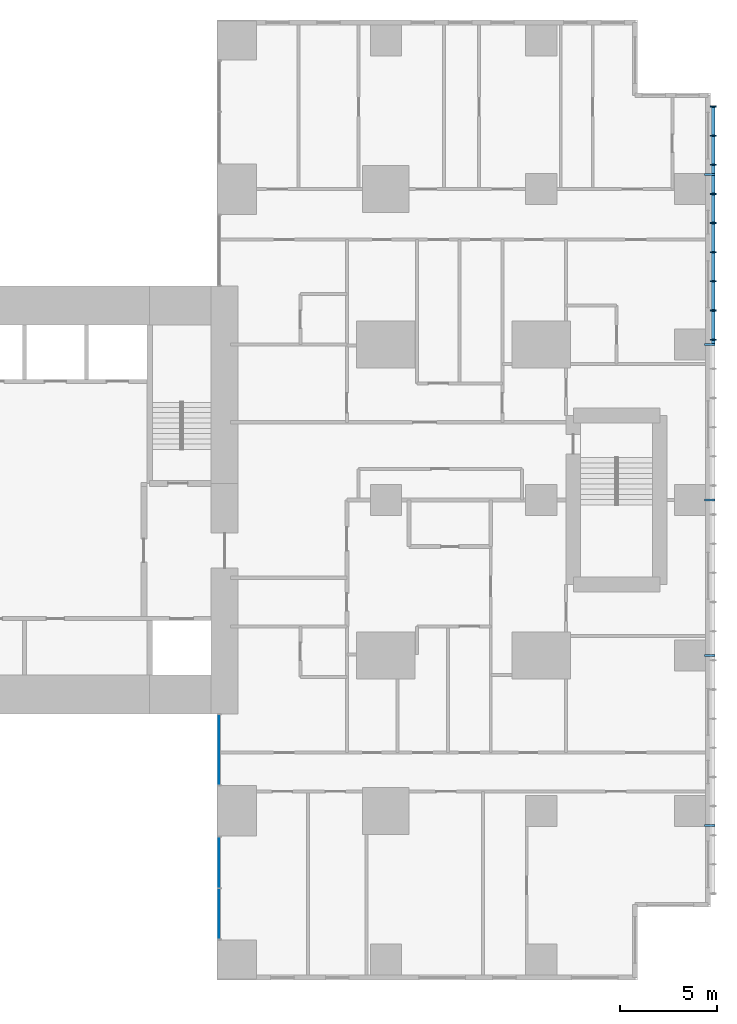
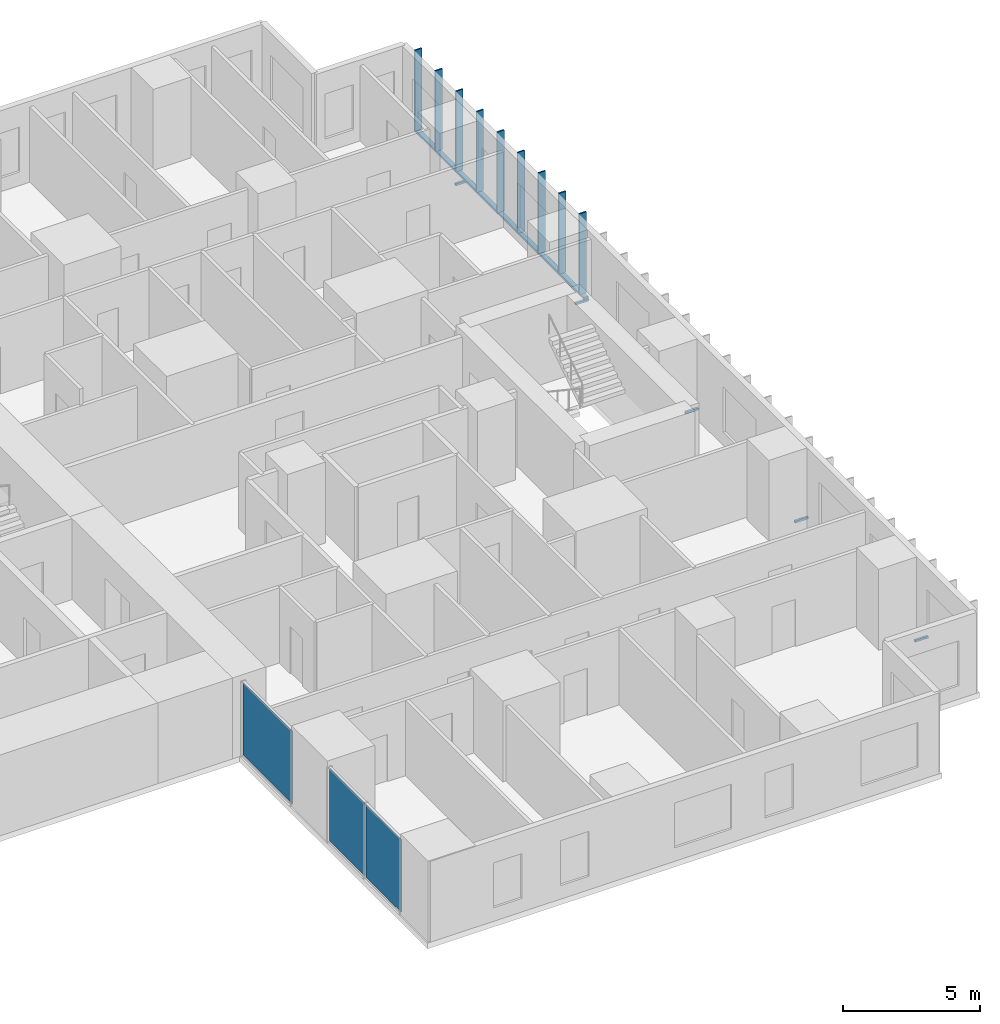
# One storey, part 5 of 14: 15 members, 3 plates, 2 elements without a shape of their own.
"""IFC4 building model written with IfcOpenShell, lengths in metres."""

from ifc_helpers import new_model, si_unit, direction, frame, origin, origin_2d, place, context, subcontext, project, spatial, rectangle, hollow_rectangle, extrude, material, layer, layer_set, material_profile, profile_set, type_object, element, aggregate, save


model = new_model("IFC4")

# Units and contexts
model_context = context("Model", 3, precision=1e-05, world=origin(), true_north=direction((0.0, 1.0)))
body_context = subcontext(model_context, "Body", "Model", "MODEL_VIEW")
ifc_project = project(units=[si_unit("LENGTHUNIT", "METRE"), si_unit("AREAUNIT", "SQUARE_METRE"), si_unit("VOLUMEUNIT", "CUBIC_METRE"), si_unit("PLANEANGLEUNIT", "RADIAN"), si_unit("MASSUNIT", "GRAM", prefix="KILO")], contexts=[model_context])

# Site, building, storey
site_placement = place(None, origin())
site = spatial("IfcSite", under=ifc_project, at=site_placement, CompositionType="ELEMENT")
building_placement = place(site_placement, origin())
building = spatial("IfcBuilding", under=site, at=building_placement, Name="Cleftline Residences", CompositionType="ELEMENT")
storey_placement = place(building_placement, frame((0.0, 0.0, 230.39990234375)))
storey = spatial("IfcBuildingStorey", under=building, at=storey_placement, Name="L60", CompositionType="ELEMENT", Elevation=230.39990234375)

# Members
ifc_material_1 = material(Name="Steel S355, hot-dip galvanised", Category="steel")
ifc_material_profile_1 = material_profile(ifc_material_1, hollow_rectangle(XDim=0.10009765625, YDim=0.10009765625, WallThickness=0.008056640625, InnerFilletRadius=0.008056640625, OuterFilletRadius=0.011962890625, at=origin_2d()))
ifc_profile_set_1 = profile_set([ifc_material_profile_1], Name="Steel S355, hot-dip galvanised")
member_type_1 = type_object("IfcMemberType", Name="BAGUETTE BRACKET SHS 100X100X8", PredefinedType="USERDEFINED", material=ifc_profile_set_1)
for number, where, z_axis, x_axis, name in (
    (1, (66.39990234375, 7.25, -0.14990234375), (1.0, 0.0, 0.0), (0.0, 1.0, 0.0), "Baguette bracket"),
    (2, (66.39990234375, 16.0, -0.14990234375), (1.0, 0.0, 0.0), (0.0, 1.0, 0.0), "Baguette bracket"),
    (3, (66.39990234375, 24.0, -0.14990234375), (1.0, 0.0, 0.0), (0.0, 1.0, 0.0), "Baguette bracket"),
    (4, (66.39990234375, 32.0, -0.14990234375), (1.0, 0.0, 0.0), (0.0, 1.0, 0.0), "Baguette bracket"),
    (5, (66.39990234375, 40.75, -0.14990234375), (1.0, 0.0, 0.0), (0.0, 1.0, 0.0), "Baguette bracket"),
):
    element("IfcMember", number, at=place(storey_placement, frame(where, z_axis=z_axis, x_axis=x_axis)), inside=storey, type_object=member_type_1, Name=name, ObjectType="BAGUETTE BRACKET", PredefinedType="USERDEFINED", context=body_context, shape_type="SweptSolid", body=[
        extrude(hollow_rectangle(XDim=0.10009765625, YDim=0.10009765625, WallThickness=0.008056640625, InnerFilletRadius=0.008056640625, OuterFilletRadius=0.011962890625, at=origin_2d()), origin(), (0.0, 0.0, 1.0), 0.550048828125),
    ])
ifc_material_2 = material(Name="Steel S355, hot-dip galvanised", Category="steel")
ifc_material_profile_2 = material_profile(ifc_material_2, hollow_rectangle(XDim=0.10009765625, YDim=0.199951171875, WallThickness=0.008056640625, InnerFilletRadius=0.008056640625, OuterFilletRadius=0.011962890625, at=origin_2d()))
ifc_profile_set_2 = profile_set([ifc_material_profile_2], Name="Steel S355, hot-dip galvanised")
member_type_2 = type_object("IfcMemberType", Name="BAGUETTE CARRIER RHS 200X100X8", PredefinedType="USERDEFINED", material=ifc_profile_set_2)
member_placement = place(storey_placement, frame((66.85009765625, 32.0, -0.0498046875), z_axis=(0.0, 1.0, 0.0), x_axis=(0.0, 0.0, 1.0)))
element("IfcMember", 6, at=member_placement, inside=storey, type_object=member_type_2, Name="Baguette carrier", ObjectType="BAGUETTE CARRIER", PredefinedType="USERDEFINED", context=body_context, shape_type="SweptSolid", body=[
    extrude(hollow_rectangle(XDim=0.10009765625, YDim=0.199951171875, WallThickness=0.008056640625, InnerFilletRadius=0.008056640625, OuterFilletRadius=0.011962890625, at=origin_2d()), origin(), (0.0, 0.0, 1.0), 12.300048828125),
])
ifc_material_3 = material(Name="Extruded terracotta", Category="masonry")
ifc_material_profile_3 = material_profile(ifc_material_3, rectangle(XDim=0.06005859375, YDim=0.300048828125, at=origin_2d()))
ifc_profile_set_3 = profile_set([ifc_material_profile_3], Name="Extruded terracotta")
member_type_3 = type_object("IfcMemberType", Name="TERRACOTTA BAGUETTE 60X300", PredefinedType="USERDEFINED", material=ifc_profile_set_3)
for number, where, z_axis, x_axis, name in (
    (7, (66.85009765625, 32.25, 0.0), (0.0, 0.0, 1.0), (0.0, 1.0, 0.0), "Terracotta baguette"),
    (8, (66.85009765625, 33.75, 0.0), (0.0, 0.0, 1.0), (0.0, 1.0, 0.0), "Terracotta baguette"),
    (9, (66.85009765625, 35.25, 0.0), (0.0, 0.0, 1.0), (0.0, 1.0, 0.0), "Terracotta baguette"),
    (10, (66.85009765625, 36.75, 0.0), (0.0, 0.0, 1.0), (0.0, 1.0, 0.0), "Terracotta baguette"),
    (11, (66.85009765625, 38.25, 0.0), (0.0, 0.0, 1.0), (0.0, 1.0, 0.0), "Terracotta baguette"),
    (12, (66.85009765625, 39.75, 0.0), (0.0, 0.0, 1.0), (0.0, 1.0, 0.0), "Terracotta baguette"),
    (13, (66.85009765625, 41.25, 0.0), (0.0, 0.0, 1.0), (0.0, 1.0, 0.0), "Terracotta baguette"),
    (14, (66.85009765625, 42.75, 0.0), (0.0, 0.0, 1.0), (0.0, 1.0, 0.0), "Terracotta baguette"),
    (15, (66.85009765625, 44.25, 0.0), (0.0, 0.0, 1.0), (0.0, 1.0, 0.0), "Terracotta baguette"),
):
    element("IfcMember", number, at=place(storey_placement, frame(where, z_axis=z_axis, x_axis=x_axis)), inside=storey, type_object=member_type_3, Name=name, ObjectType="BAGUETTE", PredefinedType="USERDEFINED", context=body_context, shape_type="SweptSolid", body=[
        extrude(rectangle(XDim=0.06005859375, YDim=0.300048828125, at=origin_2d()), origin(), (0.0, 0.0, 1.0), 3.60009765625),
    ])

# Curtain wall, plate
ifc_material_4 = material(Name="Aluminium framed curtain wall", Category="aluminium")
ifc_layer_1 = layer(ifc_material_4, 0.199951171875)
ifc_layer_set_1 = layer_set([ifc_layer_1], Name="CW1 CLEFT GLAZING")
curtain_wall_type = type_object("IfcCurtainWallType", Name="CW1 CLEFT GLAZING", PredefinedType="NOTDEFINED", material=ifc_layer_set_1)
curtain_wall_1_placement = place(storey_placement, origin())
curtain_wall_1 = element("IfcCurtainWall", 16, at=curtain_wall_1_placement, inside=storey, type_object=curtain_wall_type, Name="Curtain wall CW1", PredefinedType="NOTDEFINED")
ifc_material_5 = material(Name="Laminated clear glass", Category="glass")
ifc_layer_2 = layer(ifc_material_5, 0.028076171875)
ifc_layer_set_2 = layer_set([ifc_layer_2], Name="CW1 GLASS PANEL")
plate_type = type_object("IfcPlateType", Name="CW1 GLASS PANEL", PredefinedType="CURTAIN_PANEL", material=ifc_layer_set_2)
plate_1_placement = place(storey_placement, frame((41.425048828125, 11.14990234375, 0.06005859375), z_axis=(0.0, 0.0, 1.0), x_axis=(0.0, -1.0, 0.0)))
plate_1 = element("IfcPlate", 17, at=plate_1_placement, type_object=plate_type, Name="CW1 panel 1.1", PredefinedType="CURTAIN_PANEL", context=body_context, shape_type="SweptSolid", body=[
    extrude(rectangle(XDim=3.580078125, YDim=0.028076171875, at=origin_2d()), origin(), (0.0, 0.0, 1.0), 3.22998046875),
])
aggregate(curtain_wall_1, [plate_1])

# Curtain wall, plates
curtain_wall_2_placement = place(storey_placement, origin())
curtain_wall_2 = element("IfcCurtainWall", 18, at=curtain_wall_2_placement, inside=storey, type_object=curtain_wall_type, Name="Curtain wall CW1", PredefinedType="NOTDEFINED")
plate_2_placement = place(storey_placement, frame((41.425048828125, 5.347412109375, 0.06005859375), z_axis=(0.0, 0.0, 1.0), x_axis=(0.0, -1.0, 0.0)))
plate_2 = element("IfcPlate", 19, at=plate_2_placement, type_object=plate_type, Name="CW1 panel 1.1", PredefinedType="CURTAIN_PANEL", context=body_context, shape_type="SweptSolid", body=[
    extrude(rectangle(XDim=2.5849609375, YDim=0.028076171875, at=origin_2d()), origin(), (0.0, 0.0, 1.0), 3.22998046875),
])
plate_3_placement = place(storey_placement, frame((41.425048828125, 2.702392578125, 0.06005859375), z_axis=(0.0, 0.0, 1.0), x_axis=(0.0, -1.0, 0.0)))
plate_3 = element("IfcPlate", 20, at=plate_3_placement, type_object=plate_type, Name="CW1 panel 2.1", PredefinedType="CURTAIN_PANEL", context=body_context, shape_type="SweptSolid", body=[
    extrude(rectangle(XDim=2.5849609375, YDim=0.028076171875, at=origin_2d()), origin(), (0.0, 0.0, 1.0), 3.22998046875),
])
aggregate(curtain_wall_2, [plate_2, plate_3])

save(model, "model.ifc")
